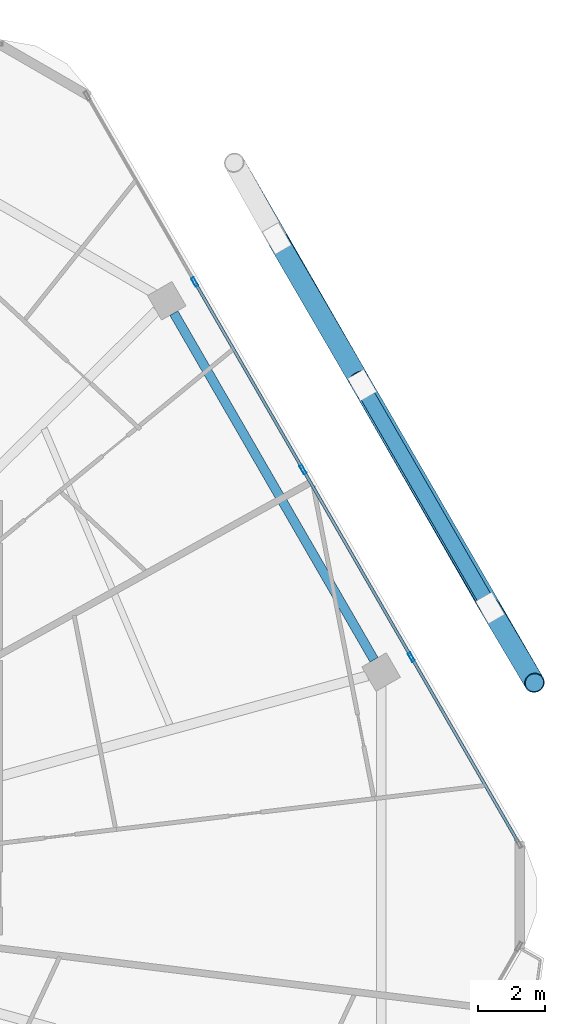
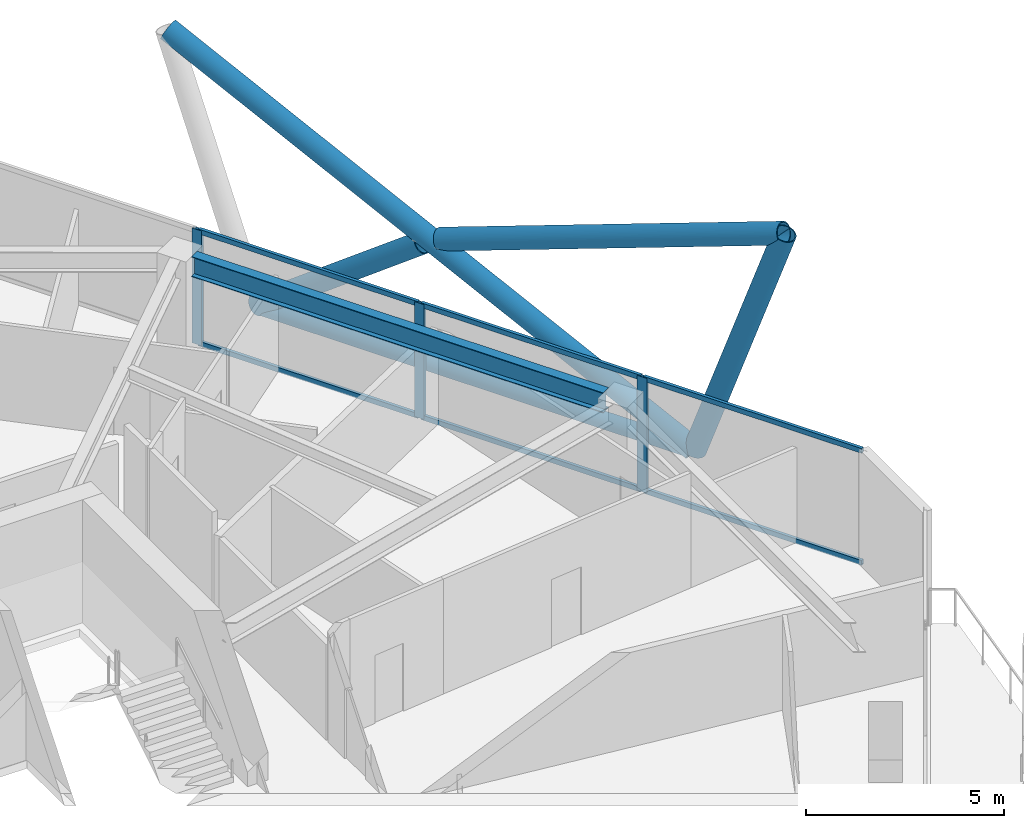
# One storey, part 17 of 29: 14 members, 1 beam, 1 element without a shape of its own.
"""IFC4 building model written with IfcOpenShell, lengths in metres."""

from ifc_helpers import new_model, si_unit, direction, frame, origin, origin_2d, place, context, subcontext, project, spatial, hollow_rectangle, hollow_circle, i_section, extrude, material, material_profile, profile_set, type_object, element, aggregate, save


model = new_model("IFC4")

# Units and contexts
model_context = context("Model", 3, precision=1e-05, world=origin(), true_north=direction((0.0, 1.0)))
body_context = subcontext(model_context, "Body", "Model", "MODEL_VIEW")
ifc_project = project(units=[si_unit("LENGTHUNIT", "METRE"), si_unit("AREAUNIT", "SQUARE_METRE"), si_unit("VOLUMEUNIT", "CUBIC_METRE"), si_unit("PLANEANGLEUNIT", "RADIAN"), si_unit("MASSUNIT", "GRAM", prefix="KILO")], contexts=[model_context])

# Site, building, storey
site_placement = place(None, origin())
site = spatial("IfcSite", under=ifc_project, at=site_placement, CompositionType="ELEMENT")
building_placement = place(site_placement, origin())
building = spatial("IfcBuilding", under=site, at=building_placement, Name="Zuhravey Tower", CompositionType="ELEMENT")
storey_placement = place(building_placement, frame((0.0, 0.0, 269.199951171875)))
storey = spatial("IfcBuildingStorey", under=building, at=storey_placement, Name="L68", CompositionType="ELEMENT", Elevation=269.199951171875)

# Curtain wall, members
ifc_material_1 = material(Name="Thermally broken anodised aluminium", Category="aluminium")
curtain_wall_type = type_object("IfcCurtainWallType", Name="Zone 3-4 High-Rise Curtain Wall CW4", PredefinedType="NOTDEFINED", material=ifc_material_1)
curtain_wall_placement = place(storey_placement, origin())
curtain_wall = element("IfcCurtainWall", 1, at=curtain_wall_placement, inside=storey, type_object=curtain_wall_type, Name="L68 CW4 CW-L68-F1-1", PredefinedType="NOTDEFINED")
ifc_material_2 = material(Name="Anodised aluminium", Category="aluminium")
ifc_material_profile_1 = material_profile(ifc_material_2, hollow_rectangle(XDim=0.090087890625, YDim=0.284912109375, WallThickness=0.0048828125, at=origin_2d()), Name="ALU-RHS-90x285x5")
ifc_profile_set_1 = profile_set([ifc_material_profile_1], Name="Anodised aluminium")
member_type_1 = type_object("IfcMemberType", Name="Curtain-Wall Mullion 90x180", PredefinedType="MULLION", material=ifc_profile_set_1)
member_1_placement = place(storey_placement, frame((54.885498046875, 50.41650390625, 0.0), z_axis=(0.0, 0.0, 1.0), x_axis=(0.866024851021, 0.500000957414, 0.0)))
member_1 = element("IfcMember", 2, at=member_1_placement, type_object=member_type_1, Name="CW4 mullion 2", PredefinedType="MULLION", context=body_context, shape_type="SweptSolid", body=[
    extrude(hollow_rectangle(XDim=0.090087890625, YDim=0.284912109375, WallThickness=0.0048828125, at=origin_2d()), origin(), (0.0, 0.0, 1.0), 3.550048828125),
])
member_2_placement = place(storey_placement, frame((58.138671875, 44.78173828125, 0.0), z_axis=(0.0, 0.0, 1.0), x_axis=(0.866024851021, 0.500000957414, 0.0)))
member_2 = element("IfcMember", 3, at=member_2_placement, type_object=member_type_1, Name="CW4 mullion 3", PredefinedType="MULLION", context=body_context, shape_type="SweptSolid", body=[
    extrude(hollow_rectangle(XDim=0.090087890625, YDim=0.284912109375, WallThickness=0.0048828125, at=origin_2d()), origin(), (0.0, 0.0, 1.0), 3.550048828125),
])
member_3_placement = place(storey_placement, frame((61.391845703125, 39.147216796875, 0.0), z_axis=(0.0, 0.0, 1.0), x_axis=(0.866024851021, 0.500000957414, 0.0)))
member_3 = element("IfcMember", 4, at=member_3_placement, type_object=member_type_1, Name="CW4 mullion 4", PredefinedType="MULLION", context=body_context, shape_type="SweptSolid", body=[
    extrude(hollow_rectangle(XDim=0.090087890625, YDim=0.284912109375, WallThickness=0.0048828125, at=origin_2d()), origin(), (0.0, 0.0, 1.0), 3.550048828125),
])
ifc_material_profile_2 = material_profile(ifc_material_2, hollow_rectangle(XDim=0.090087890625, YDim=0.14990234375, WallThickness=0.0048828125, at=origin_2d()), Name="ALU-RHS-90x150x5")
ifc_profile_set_2 = profile_set([ifc_material_profile_2], Name="Anodised aluminium")
member_type_2 = type_object("IfcMemberType", Name="Curtain-Wall Transom 90x150", PredefinedType="USERDEFINED", material=ifc_profile_set_2)
member_4_placement = place(storey_placement, frame((54.907958984375, 50.37744140625, 0.045166015625), z_axis=(0.500014493347, -0.866017035885, 0.0), x_axis=(0.866017035885, 0.500014493347, 0.0)))
member_4 = element("IfcMember", 5, at=member_4_placement, type_object=member_type_2, Name="CW4 transom 2.1", ObjectType="TRANSOM", PredefinedType="USERDEFINED", context=body_context, shape_type="SweptSolid", body=[
    extrude(hollow_rectangle(XDim=0.090087890625, YDim=0.14990234375, WallThickness=0.0048828125, at=origin_2d()), origin(), (0.0, 0.0, 1.0), 6.416259765625),
])
member_5_placement = place(storey_placement, frame((54.907958984375, 50.37744140625, 3.505126953125), z_axis=(0.500014493347, -0.866017035885, 0.0), x_axis=(0.866017035885, 0.500014493347, 0.0)))
member_5 = element("IfcMember", 6, at=member_5_placement, type_object=member_type_2, Name="CW4 transom 2.2", ObjectType="TRANSOM", PredefinedType="USERDEFINED", context=body_context, shape_type="SweptSolid", body=[
    extrude(hollow_rectangle(XDim=0.090087890625, YDim=0.14990234375, WallThickness=0.0048828125, at=origin_2d()), origin(), (0.0, 0.0, 1.0), 6.416259765625),
])
member_6_placement = place(storey_placement, frame((58.1611328125, 44.742919921875, 0.045166015625), z_axis=(0.499998017366, -0.866026548456, 0.0), x_axis=(0.866026548456, 0.499998017366, 0.0)))
member_6 = element("IfcMember", 7, at=member_6_placement, type_object=member_type_2, Name="CW4 transom 3.1", ObjectType="TRANSOM", PredefinedType="USERDEFINED", context=body_context, shape_type="SweptSolid", body=[
    extrude(hollow_rectangle(XDim=0.090087890625, YDim=0.14990234375, WallThickness=0.0048828125, at=origin_2d()), origin(), (0.0, 0.0, 1.0), 6.41650390625),
])
member_7_placement = place(storey_placement, frame((58.1611328125, 44.742919921875, 3.505126953125), z_axis=(0.499998017366, -0.866026548456, 0.0), x_axis=(0.866026548456, 0.499998017366, 0.0)))
member_7 = element("IfcMember", 8, at=member_7_placement, type_object=member_type_2, Name="CW4 transom 3.2", ObjectType="TRANSOM", PredefinedType="USERDEFINED", context=body_context, shape_type="SweptSolid", body=[
    extrude(hollow_rectangle(XDim=0.090087890625, YDim=0.14990234375, WallThickness=0.0048828125, at=origin_2d()), origin(), (0.0, 0.0, 1.0), 6.41650390625),
])
member_8_placement = place(storey_placement, frame((61.414306640625, 39.108154296875, 0.045166015625), z_axis=(0.500008810174, -0.866020317169, 0.0), x_axis=(0.866020317169, 0.500008810174, 0.0)))
member_8 = element("IfcMember", 9, at=member_8_placement, type_object=member_type_2, Name="CW4 transom 4.1", ObjectType="TRANSOM", PredefinedType="USERDEFINED", context=body_context, shape_type="SweptSolid", body=[
    extrude(hollow_rectangle(XDim=0.090087890625, YDim=0.14990234375, WallThickness=0.0048828125, at=origin_2d()), origin(), (0.0, 0.0, 1.0), 6.37158203125),
])
member_9_placement = place(storey_placement, frame((61.414306640625, 39.108154296875, 3.505126953125), z_axis=(0.500008810174, -0.866020317169, 0.0), x_axis=(0.866020317169, 0.500008810174, 0.0)))
member_9 = element("IfcMember", 10, at=member_9_placement, type_object=member_type_2, Name="CW4 transom 4.2", ObjectType="TRANSOM", PredefinedType="USERDEFINED", context=body_context, shape_type="SweptSolid", body=[
    extrude(hollow_rectangle(XDim=0.090087890625, YDim=0.14990234375, WallThickness=0.0048828125, at=origin_2d()), origin(), (0.0, 0.0, 1.0), 6.37158203125),
])
aggregate(curtain_wall, [member_1, member_2, member_3, member_4, member_5, member_6, member_7, member_8, member_9])

# Members
ifc_material_3 = material(Name="Steel SM355", Category="steel")
ifc_material_profile_3 = material_profile(ifc_material_3, hollow_circle(Radius=0.228515625, WallThickness=0.02197265625, at=origin_2d()), Name="CHS-457.2x22")
ifc_profile_set_3 = profile_set([ifc_material_profile_3], Name="Steel SM355")
member_type_3 = type_object("IfcMemberType", Name="Exoskeleton Ring Tie CHS457x22", PredefinedType="CHORD", material=ifc_profile_set_3)
member_10_placement = place(storey_placement, frame((63.688720703125, 40.748779296875, -0.4638671875), z_axis=(-0.499993323494, 0.866029258433, 0.0), x_axis=(-0.866029258433, -0.499993323494, 0.0)))
element("IfcMember", 11, at=member_10_placement, inside=storey, type_object=member_type_3, Name="L68 Exoskeleton Face 1 Tie EXR1", PredefinedType="CHORD", context=body_context, shape_type="SweptSolid", body=[
    extrude(hollow_circle(Radius=0.228515625, WallThickness=0.02197265625, at=origin_2d()), origin(), (0.0, 0.0, 1.0), 12.535400390625),
])
ifc_material_profile_4 = material_profile(ifc_material_3, hollow_circle(Radius=0.3046875, WallThickness=0.028076171875, at=origin_2d()), Name="CHS-609.6x28")
ifc_profile_set_4 = profile_set([ifc_material_profile_4], Name="Steel SM355")
member_type_4 = type_object("IfcMemberType", Name="Exoskeleton Zone 3 Diagrid CHS610x28", PredefinedType="BRACE", material=ifc_profile_set_4)
member_11_placement = place(storey_placement, frame((63.761962890625, 40.622314453125, -0.446044921875), z_axis=(0.166258751758, -0.280494899048, 0.945346835332), x_axis=(0.860238328743, 0.509892162876, 0.0)))
element("IfcMember", 12, at=member_11_placement, inside=storey, type_object=member_type_4, Name="L68 Face 1 Diagrid Brace 1", PredefinedType="BRACE", context=body_context, shape_type="SweptSolid", body=[
    extrude(hollow_circle(Radius=0.3046875, WallThickness=0.028076171875, at=origin_2d()), origin(), (0.0, 0.0, 1.0), 8.00146484375),
])
member_12_placement = place(storey_placement, frame((63.740478515625, 40.6591796875, -0.446044921875), z_axis=(-0.447057080249, 0.777837690491, 0.441710871783), x_axis=(-0.867002422958, -0.498303921904, 0.0)))
element("IfcMember", 13, at=member_12_placement, inside=storey, type_object=member_type_4, Name="L68 Face 1 Diagrid Brace 2", PredefinedType="BRACE", context=body_context, shape_type="SweptSolid", body=[
    extrude(hollow_circle(Radius=0.3046875, WallThickness=0.028076171875, at=origin_2d()), origin(), (0.0, 0.0, 1.0), 17.124755859375),
])
member_13_placement = place(storey_placement, frame((57.367431640625, 51.69775390625, -0.439697265625), z_axis=(0.402908889289, -0.693110321119, 0.597714404788), x_axis=(0.86454091155, 0.502562446127, 0.0)))
element("IfcMember", 14, at=member_13_placement, inside=storey, type_object=member_type_4, Name="L68 Face 1 Split Diagrid Brace 3A", PredefinedType="BRACE", context=body_context, shape_type="SweptSolid", body=[
    extrude(hollow_circle(Radius=0.3046875, WallThickness=0.028076171875, at=origin_2d()), origin(), (0.0, 0.0, 1.0), 6.02197265625),
])
member_14_placement = place(storey_placement, frame((60.05126953125, 47.079833984375, 3.437744140625), z_axis=(0.47048560947, -0.812183155401, 0.344966394544), x_axis=(0.865299535877, 0.501255137839, 0.0)))
element("IfcMember", 15, at=member_14_placement, inside=storey, type_object=member_type_4, Name="L68 Face 1 Split Diagrid Brace 3B", PredefinedType="BRACE", context=body_context, shape_type="SweptSolid", body=[
    extrude(hollow_circle(Radius=0.3046875, WallThickness=0.028076171875, at=origin_2d()), origin(), (0.0, 0.0, 1.0), 10.68017578125),
])

# Beam
ifc_material_profile_5 = material_profile(ifc_material_3, i_section(OverallWidth=0.280029296875, OverallDepth=0.6201171875, WebThickness=0.011962890625, FlangeThickness=0.02001953125, at=origin_2d()), Name="H-620x280x12x20")
ifc_profile_set_5 = profile_set([ifc_material_profile_5], Name="Steel SM355")
beam_type = type_object("IfcBeamType", Name="Perimeter Ring Beam H620x280", PredefinedType="BEAM", material=ifc_profile_set_5)
beam_placement = place(storey_placement, frame((60.2705078125, 39.069580078125, 3.239990234375), z_axis=(-0.500005971936, 0.866021955858, 0.0), x_axis=(-0.866021955858, -0.500005971936, 0.0)))
element("IfcBeam", 16, at=beam_placement, inside=storey, type_object=beam_type, Name="L68 PB3 BM-L68-PB-01", PredefinedType="BEAM", context=body_context, shape_type="SweptSolid", body=[
    extrude(i_section(OverallWidth=0.280029296875, OverallDepth=0.6201171875, WebThickness=0.011962890625, FlangeThickness=0.02001953125, at=origin_2d()), origin(), (0.0, 0.0, 1.0), 12.025634765625),
])

save(model, "model.ifc")
